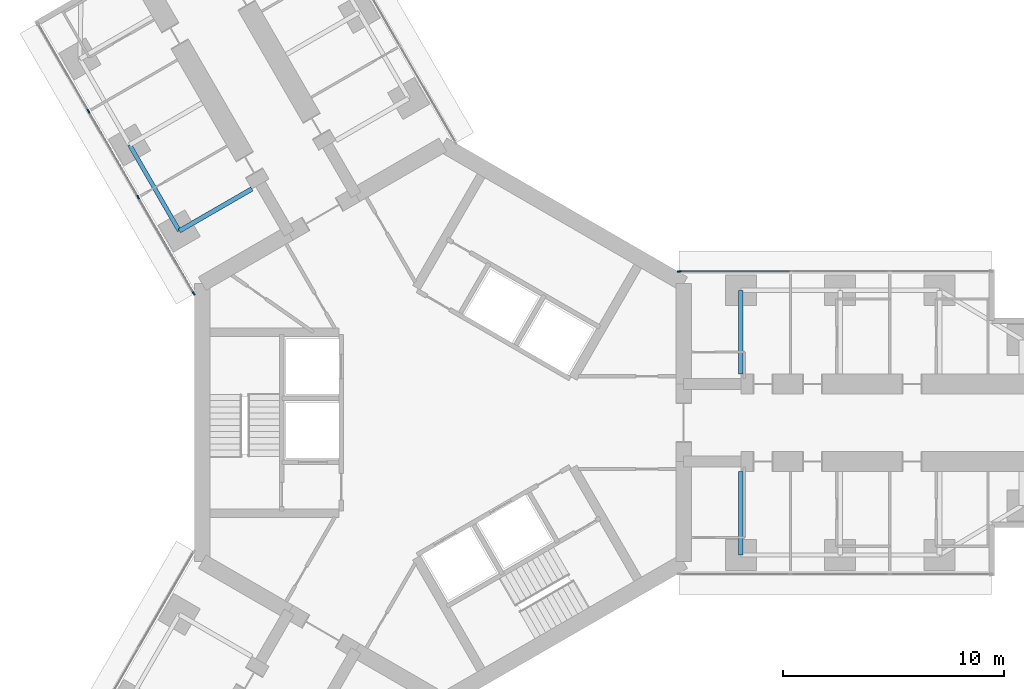
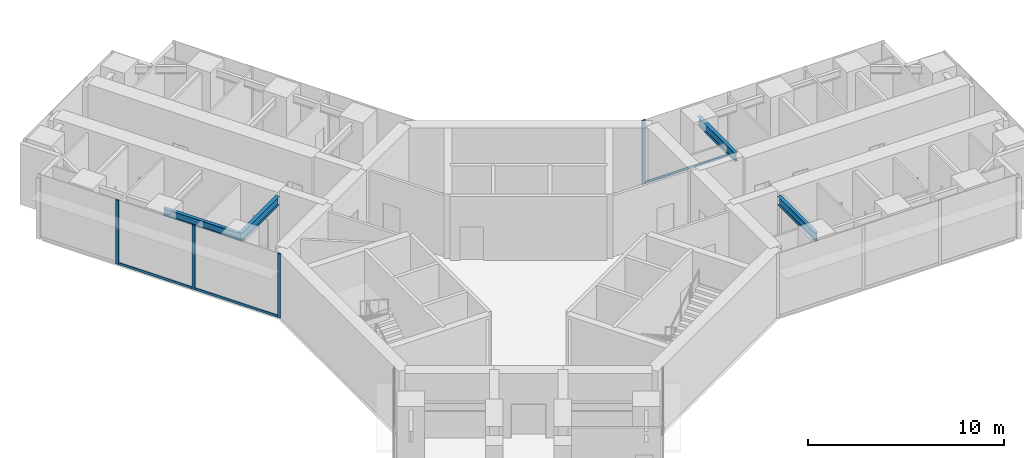
# One storey, part 6 of 25: 7 members, 4 beams, 2 elements without a shape of their own.
"""IFC4 building model written with IfcOpenShell, lengths in metres."""

from ifc_helpers import new_model, si_unit, direction, frame, origin, origin_2d, place, context, subcontext, project, spatial, rectangle, i_section, extrude, material, material_profile, profile_set, type_object, element, aggregate, save


model = new_model("IFC4")

# Units and contexts
model_context = context("Model", 3, precision=1e-05, world=origin(), true_north=direction((0.0, 1.0)))
body_context = subcontext(model_context, "Body", "Model", "MODEL_VIEW")
ifc_project = project(units=[si_unit("LENGTHUNIT", "METRE"), si_unit("AREAUNIT", "SQUARE_METRE"), si_unit("VOLUMEUNIT", "CUBIC_METRE"), si_unit("PLANEANGLEUNIT", "RADIAN"), si_unit("MASSUNIT", "GRAM", prefix="KILO")], contexts=[model_context])

# Site, building, storey
site_placement = place(None, origin())
site = spatial("IfcSite", under=ifc_project, at=site_placement, CompositionType="ELEMENT")
building_placement = place(site_placement, origin())
building = spatial("IfcBuilding", under=site, at=building_placement, Name="Upepo Twin Towers", CompositionType="ELEMENT")
storey_placement = place(building_placement, frame((0.0, 0.0, 84.5)))
storey = spatial("IfcBuildingStorey", under=building, at=storey_placement, Name="L20", CompositionType="ELEMENT", Elevation=84.5)

# Beams
ifc_material_1 = material(Name="Steel S355", Category="steel")
ifc_material_profile_1 = material_profile(ifc_material_1, i_section(OverallWidth=0.1904296875, OverallDepth=0.45703125, WebThickness=0.009033203125, FlangeThickness=0.014404296875, FilletRadius=0.01025390625, at=origin_2d()), Name="UB 457x191x74")
ifc_profile_set_1 = profile_set([ifc_material_profile_1], Name="Steel S355")
beam_type_1 = type_object("IfcBeamType", Name="Beam UB 457x191x74", PredefinedType="BEAM", material=ifc_profile_set_1)
beam_1_placement = place(storey_placement, frame((-11.946044921875, 8.69140625, 3.571533203125), z_axis=(-0.500013631625, 0.866017533419, 0.0), x_axis=(-0.866017533419, -0.500013631625, 0.0)))
element("IfcBeam", 1, at=beam_1_placement, inside=storey, type_object=beam_type_1, Name="T1 edge beam BL 13.5-18.0", PredefinedType="BEAM", context=body_context, shape_type="SweptSolid", body=[
    extrude(i_section(OverallWidth=0.1904296875, OverallDepth=0.45703125, WebThickness=0.009033203125, FlangeThickness=0.014404296875, FilletRadius=0.01025390625, at=origin_2d()), origin(), (0.0, 0.0, 1.0), 4.499755859375),
])
ifc_material_2 = material(Name="Steel S355", Category="steel")
ifc_material_profile_2 = material_profile(ifc_material_2, i_section(OverallWidth=0.209228515625, OverallDepth=0.533203125, WebThickness=0.010009765625, FlangeThickness=0.015625, FilletRadius=0.0126953125, at=origin_2d()), Name="UB 533x210x92")
ifc_profile_set_2 = profile_set([ifc_material_profile_2], Name="Steel S355")
beam_type_2 = type_object("IfcBeamType", Name="Beam UB 533x210x92", PredefinedType="BEAM", material=ifc_profile_set_2)
for number, where, z_axis, x_axis, name in (
    (2, (13.5, 6.0, 3.533447265625), (0.0, -1.0, 0.0), (1.0, 0.0, 0.0), "T1 girder AL at 13.5"),
    (3, (13.5, -6.0, 3.533447265625), (0.0, 1.0, 0.0), (-1.0, 0.0, 0.0), "T1 girder AR at 13.5"),
):
    element("IfcBeam", number, at=place(storey_placement, frame(where, z_axis=z_axis, x_axis=x_axis)), inside=storey, type_object=beam_type_2, Name=name, PredefinedType="BEAM", context=body_context, shape_type="SweptSolid", body=[
        extrude(i_section(OverallWidth=0.209228515625, OverallDepth=0.533203125, WebThickness=0.010009765625, FlangeThickness=0.015625, FilletRadius=0.0126953125, at=origin_2d()), origin(), (0.0, 0.0, 1.0), 3.800048828125),
    ])
beam_2_placement = place(storey_placement, frame((-11.946044921875, 8.69140625, 3.533447265625), z_axis=(0.866028304915, 0.499994975061, 0.0), x_axis=(-0.499994975061, 0.866028304915, 0.0)))
element("IfcBeam", 4, at=beam_2_placement, inside=storey, type_object=beam_type_2, Name="T1 girder BL at 13.5", PredefinedType="BEAM", context=body_context, shape_type="SweptSolid", body=[
    extrude(i_section(OverallWidth=0.209228515625, OverallDepth=0.533203125, WebThickness=0.010009765625, FlangeThickness=0.015625, FilletRadius=0.0126953125, at=origin_2d()), origin(), (0.0, 0.0, 1.0), 3.7998046875),
])

# Curtain wall, member
ifc_material_3 = material(Name="Aluminium and fritted glass", Category="aluminium")
curtain_wall_type = type_object("IfcCurtainWallType", Name="Tower curtain wall TW1, fritted glass", PredefinedType="NOTDEFINED", material=ifc_material_3)
curtain_wall_1_placement = place(storey_placement, origin())
curtain_wall_1 = element("IfcCurtainWall", 5, at=curtain_wall_1_placement, inside=storey, type_object=curtain_wall_type, Name="T1 L20 wing A flank L curtain wall", PredefinedType="NOTDEFINED")
ifc_material_4 = material(Name="Aluminium mullion", Category="aluminium")
ifc_material_profile_3 = material_profile(ifc_material_4, rectangle(XDim=0.06494140625, YDim=0.179931640625, at=origin_2d()), Name="MULLION 65x180")
ifc_profile_set_3 = profile_set([ifc_material_profile_3], Name="Aluminium mullion")
member_type_1 = type_object("IfcMemberType", Name="Mullion 65x180 TW1", PredefinedType="MULLION", material=ifc_profile_set_3)
member_1_placement = place(storey_placement, frame((10.7197265625, 6.85009765625, 0.0), z_axis=(0.0, 0.0, 1.0), x_axis=(0.0, 1.0, 0.0)))
member_1 = element("IfcMember", 6, at=member_1_placement, type_object=member_type_1, Name="T1 L20 wing A flank L curtain wall mullion 1", PredefinedType="MULLION", context=body_context, shape_type="SweptSolid", body=[
    extrude(rectangle(XDim=0.06494140625, YDim=0.179931640625, at=origin_2d()), origin(), (0.0, 0.0, 1.0), 4.0),
])

# Curtain wall, members
curtain_wall_2_placement = place(storey_placement, origin())
curtain_wall_2 = element("IfcCurtainWall", 7, at=curtain_wall_2_placement, inside=storey, type_object=curtain_wall_type, Name="T1 L20 wing B flank L curtain wall", PredefinedType="NOTDEFINED")
member_2_placement = place(storey_placement, frame((-11.2919921875, 5.8583984375, 0.0), z_axis=(0.0, 0.0, 1.0), x_axis=(-0.866025389682, -0.500000024426, 0.0)))
member_2 = element("IfcMember", 8, at=member_2_placement, type_object=member_type_1, Name="T1 L20 wing B flank L curtain wall mullion 1", PredefinedType="MULLION", context=body_context, shape_type="SweptSolid", body=[
    extrude(rectangle(XDim=0.06494140625, YDim=0.179931640625, at=origin_2d()), origin(), (0.0, 0.0, 1.0), 4.0),
])
member_3_placement = place(storey_placement, frame((-13.807373046875, 10.21484375, 0.0), z_axis=(0.0, 0.0, 1.0), x_axis=(-0.866025389682, -0.500000024426, 0.0)))
member_3 = element("IfcMember", 9, at=member_3_placement, type_object=member_type_1, Name="T1 L20 wing B flank L curtain wall mullion 2", PredefinedType="MULLION", context=body_context, shape_type="SweptSolid", body=[
    extrude(rectangle(XDim=0.06494140625, YDim=0.179931640625, at=origin_2d()), origin(), (0.0, 0.0, 1.0), 4.0),
])
member_4_placement = place(storey_placement, frame((-16.057373046875, 14.112060546875, 0.0), z_axis=(0.0, 0.0, 1.0), x_axis=(-0.866025389682, -0.500000024426, 0.0)))
member_4 = element("IfcMember", 10, at=member_4_placement, type_object=member_type_1, Name="T1 L20 wing B flank L curtain wall mullion 3", PredefinedType="MULLION", context=body_context, shape_type="SweptSolid", body=[
    extrude(rectangle(XDim=0.06494140625, YDim=0.179931640625, at=origin_2d()), origin(), (0.0, 0.0, 1.0), 4.0),
])

# Member
ifc_material_5 = material(Name="Aluminium transom", Category="aluminium")
ifc_material_profile_4 = material_profile(ifc_material_5, rectangle(XDim=0.06494140625, YDim=0.14990234375, at=origin_2d()), Name="TRANSOM 65x150")
ifc_profile_set_4 = profile_set([ifc_material_profile_4], Name="Aluminium transom")
member_type_2 = type_object("IfcMemberType", Name="Transom 65x150 TW1", PredefinedType="USERDEFINED", material=ifc_profile_set_4)
member_5_placement = place(storey_placement, frame((10.752197265625, 6.85009765625, 0.074951171875), z_axis=(1.0, 0.0, 0.0), x_axis=(0.0, 1.0, 0.0)))
member_5 = element("IfcMember", 11, at=member_5_placement, type_object=member_type_2, Name="T1 L20 wing A flank L curtain wall transom 1", ObjectType="TRANSOM", PredefinedType="USERDEFINED", context=body_context, shape_type="SweptSolid", body=[
    extrude(rectangle(XDim=0.06494140625, YDim=0.14990234375, at=origin_2d()), origin(), (0.0, 0.0, 1.0), 4.96533203125),
])

aggregate(curtain_wall_1, [member_1, member_5])

member_6_placement = place(storey_placement, frame((-11.308349609375, 5.88671875, 0.074951171875), z_axis=(-0.50000478328, 0.866022642139, 0.0), x_axis=(-0.866022642139, -0.50000478328, 0.0)))
member_6 = element("IfcMember", 12, at=member_6_placement, type_object=member_type_2, Name="T1 L20 wing B flank L curtain wall transom 1", ObjectType="TRANSOM", PredefinedType="USERDEFINED", context=body_context, shape_type="SweptSolid", body=[
    extrude(rectangle(XDim=0.06494140625, YDim=0.14990234375, at=origin_2d()), origin(), (0.0, 0.0, 1.0), 4.96533203125),
])

member_7_placement = place(storey_placement, frame((-13.823486328125, 10.2431640625, 0.074951171875), z_axis=(-0.500005184116, 0.866022410713, 0.0), x_axis=(-0.866022410713, -0.500005184116, 0.0)))
member_7 = element("IfcMember", 13, at=member_7_placement, type_object=member_type_2, Name="T1 L20 wing B flank L curtain wall transom 2", ObjectType="TRANSOM", PredefinedType="USERDEFINED", context=body_context, shape_type="SweptSolid", body=[
    extrude(rectangle(XDim=0.06494140625, YDim=0.14990234375, at=origin_2d()), origin(), (0.0, 0.0, 1.0), 4.43505859375),
])

aggregate(curtain_wall_2, [member_2, member_3, member_4, member_6, member_7])

save(model, "model.ifc")
